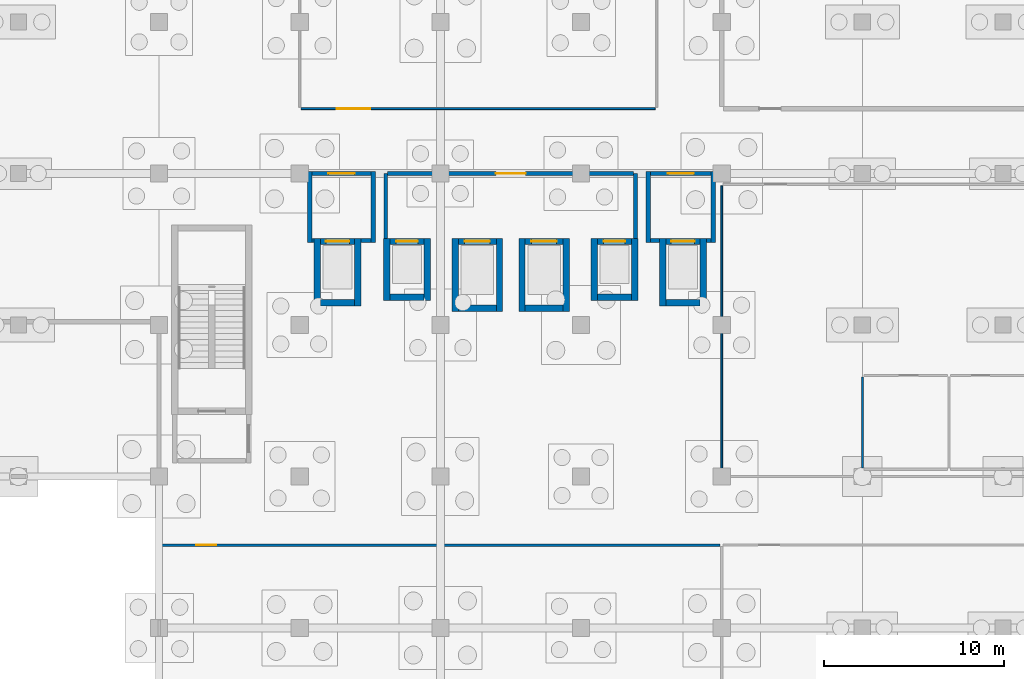
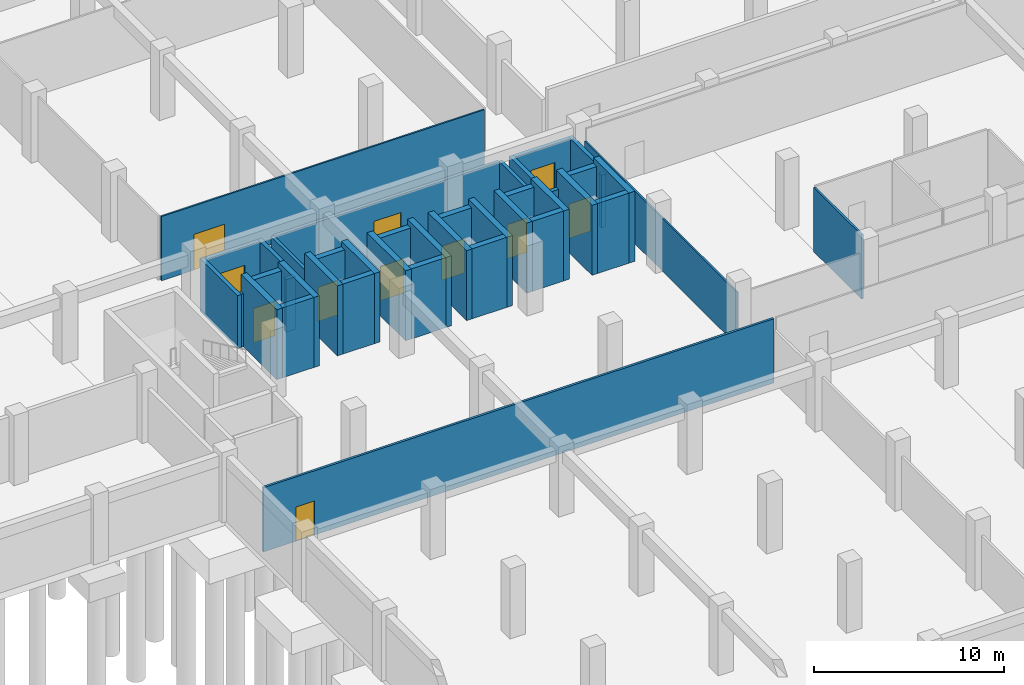
# One storey, part 14 of 30: 41 walls, 11 doors, 11 openings.
"""IFC4 building model written with IfcOpenShell, lengths in metres."""

from ifc_helpers import new_model, si_unit, direction, frame, frame_2d, origin, place, context, subcontext, project, spatial, rectangle, extrude, material, layer, layer_set, type_object, element, fill, save


model = new_model("IFC4")

# Units and contexts
model_context = context("Model", 3, precision=1e-05, world=origin(), true_north=direction((0.0, 1.0)))
body_context = subcontext(model_context, "Body", "Model", "MODEL_VIEW")
ifc_project = project(units=[si_unit("LENGTHUNIT", "METRE"), si_unit("AREAUNIT", "SQUARE_METRE"), si_unit("VOLUMEUNIT", "CUBIC_METRE"), si_unit("PLANEANGLEUNIT", "RADIAN"), si_unit("MASSUNIT", "GRAM", prefix="KILO"), si_unit("THERMODYNAMICTEMPERATUREUNIT", "KELVIN"), si_unit("POWERUNIT", "WATT")], contexts=[model_context])

# Site, building, storey
site_placement = place(None, origin())
site = spatial("IfcSite", under=ifc_project, at=site_placement, CompositionType="ELEMENT")
building_placement = place(site_placement, origin())
building = spatial("IfcBuilding", under=site, at=building_placement, Name="Srebrne Nadtorze General Hospital", CompositionType="ELEMENT")
storey_placement = place(building_placement, frame((0.0, 0.0, -4.5)))
storey = spatial("IfcBuildingStorey", under=building, at=storey_placement, Name="B1", CompositionType="ELEMENT", Elevation=-4.5)

# Wall, opening, door
ifc_material_1 = material(Name="Gypsum Healthcare Partition")
ifc_layer_1 = layer(ifc_material_1, 0.139892578125)
ifc_layer_set_1 = layer_set([ifc_layer_1], Name="Gypsum Healthcare Partition")
wall_type_1 = type_object("IfcWallType", Name="Clinical partition 140", PredefinedType="PARTITIONING", material=ifc_layer_set_1)
wall_1_placement = place(storey_placement, frame((23.485107421875, 29.800048828125, 0.0), z_axis=(0.0, 0.0, 1.0), x_axis=(1.0, 0.0, 0.0)))
wall_1 = element("IfcWall", 1, at=wall_1_placement, inside=storey, type_object=wall_type_1, Name="Medical Records and Digital Archive wall WL-INT-B1-1226", PredefinedType="PARTITIONING", context=body_context, shape_type="SweptSolid", body=[
    extrude(rectangle(XDim=31.02978515625, YDim=0.139892578125, at=frame_2d((15.514892578125, 0.0))), origin(), (0.0, 0.0, 1.0), 4.1298828125),
])
opening_1_placement = place(wall_1_placement, frame((1.97998046875, 0.0, 0.0)))
opening_1 = element("IfcOpeningElement", 2, at=opening_1_placement, cuts=wall_1, Name="Opening D-B1-0172", PredefinedType="OPENING", context=body_context, shape_type="SweptSolid", body=[
    extrude(rectangle(XDim=1.1201171875, YDim=2.199951171875, at=frame_2d((0.56005859375, 1.10009765625))), frame((0.0, 0.08203125, 0.0), z_axis=(0.0, -1.0, 0.0), x_axis=(1.0, 0.0, 0.0)), (0.0, 0.0, 1.0), 0.163818359375),
])
ifc_material_2 = material(Name="Anodised Aluminium", Category="aluminium")
door_type_1 = type_object("IfcDoorType", Name="Single leaf door 1120x2200", OperationType="NOTDEFINED", PredefinedType="DOOR", material=ifc_material_2)
door_1_placement = place(opening_1_placement, frame((1.1201171875, 0.0, 0.0), z_axis=(0.0, 0.0, 1.0), x_axis=(-1.0, 0.0, 0.0)))
door_1 = element("IfcDoor", 3, at=door_1_placement, inside=storey, type_object=door_type_1, Name="Medical Records and Digital Archive door D-B1-0172", OperationType="SINGLE_SWING_RIGHT", OverallHeight=2.199951171875, OverallWidth=1.1201171875, PredefinedType="DOOR", context=body_context, shape_type="SweptSolid", body=[
    extrude(rectangle(XDim=1.1201171875, YDim=2.199951171875, at=frame_2d((0.56005859375, 1.10009765625))), frame((0.0, 0.02490234375, 0.0), z_axis=(0.0, -1.0, 0.0), x_axis=(1.0, 0.0, 0.0)), (0.0, 0.0, 1.0), 0.050048828125),
])
fill(opening_1, door_1)

# Walls
ifc_material_3 = material(Name="Gypsum Healthcare Partition")
ifc_layer_2 = layer(ifc_material_3, 0.199951171875)
ifc_layer_set_2 = layer_set([ifc_layer_2], Name="Gypsum Healthcare Partition")
wall_type_2 = type_object("IfcWallType", Name="Compartment wall 200", PredefinedType="STANDARD", material=ifc_layer_set_2)
for number, where, z_axis, x_axis, name in (
    (4, (35.97998046875, 46.81005859375, 0.0), (0.0, 0.0, 1.0), (0.0, 1.0, 0.0), "Lift lobby side wall WL-INT-B1-0880"),
    (5, (49.820068359375, 46.81005859375, 0.0), (0.0, 0.0, 1.0), (0.0, 1.0, 0.0), "Lift lobby side wall WL-INT-B1-0881"),
):
    element("IfcWall", number, at=place(storey_placement, frame(where, z_axis=z_axis, x_axis=x_axis)), inside=storey, type_object=wall_type_2, Name=name, PredefinedType="STANDARD", context=body_context, shape_type="SweptSolid", body=[
        extrude(rectangle(XDim=3.58984375, YDim=0.199951171875, at=frame_2d((1.794921875, 0.0))), origin(), (0.0, 0.0, 1.0), 3.39990234375),
    ])

# Wall, opening, door
wall_2_placement = place(storey_placement, frame((36.080078125, 50.39990234375, 0.0), z_axis=(0.0, 0.0, 1.0), x_axis=(1.0, 0.0, 0.0)))
wall_2 = element("IfcWall", 6, at=wall_2_placement, inside=storey, type_object=wall_type_2, Name="Lift lobby corridor wall WL-INT-B1-0882", PredefinedType="STANDARD", context=body_context, shape_type="SweptSolid", body=[
    extrude(rectangle(XDim=13.639892578125, YDim=0.199951171875, at=frame_2d((6.81982421875, 0.0))), origin(), (0.0, 0.0, 1.0), 3.39990234375),
])
opening_2_placement = place(wall_2_placement, frame((5.9951171875, 0.0, 0.0)))
opening_2 = element("IfcOpeningElement", 7, at=opening_2_placement, cuts=wall_2, Name="Opening D-B1-0119", PredefinedType="OPENING", context=body_context, shape_type="SweptSolid", body=[
    extrude(rectangle(XDim=1.64990234375, YDim=2.25, at=frame_2d((0.824951171875, 1.125))), frame((0.0, 0.11181640625, 0.0), z_axis=(0.0, -1.0, 0.0), x_axis=(1.0, 0.0, 0.0)), (0.0, 0.0, 1.0), 0.223876953125),
])
ifc_material_4 = material(Name="Anodised Aluminium", Category="aluminium")
door_type_2 = type_object("IfcDoorType", Name="Double leaf door 1650x2250", OperationType="DOUBLE_DOOR_SINGLE_SWING", PredefinedType="DOOR", material=ifc_material_4)
door_2_placement = place(opening_2_placement, origin())
door_2 = element("IfcDoor", 8, at=door_2_placement, inside=storey, type_object=door_type_2, Name="Lift lobby corridor door D-B1-0119", OperationType="DOUBLE_DOOR_SINGLE_SWING", OverallHeight=2.25, OverallWidth=1.64990234375, PredefinedType="DOOR", context=body_context, shape_type="SweptSolid", body=[
    extrude(rectangle(XDim=1.64990234375, YDim=2.25, at=frame_2d((0.824951171875, 1.125))), frame((0.0, 0.02490234375, 0.0), z_axis=(0.0, -1.0, 0.0), x_axis=(1.0, 0.0, 0.0)), (0.0, 0.0, 1.0), 0.050048828125),
])
fill(opening_2, door_2)

# Walls
ifc_material_5 = material(Name="Gypsum Healthcare Partition")
ifc_layer_3 = layer(ifc_material_5, 0.239990234375)
ifc_layer_set_3 = layer_set([ifc_layer_3], Name="Gypsum Healthcare Partition")
wall_type_3 = type_object("IfcWallType", Name="Corridor fire wall 240", PredefinedType="STANDARD", material=ifc_layer_set_3)
for number, where, z_axis, x_axis, name in (
    (9, (31.760009765625, 46.570068359375, 0.0), (0.0, 0.0, 1.0), (0.0, 1.0, 0.0), "FF lift lobby wall WL-INT-B1-0870"),
    (10, (35.27001953125, 46.570068359375, 0.0), (0.0, 0.0, 1.0), (0.0, 1.0, 0.0), "FF lift lobby wall WL-INT-B1-0871"),
):
    element("IfcWall", number, at=place(storey_placement, frame(where, z_axis=z_axis, x_axis=x_axis)), inside=storey, type_object=wall_type_3, Name=name, PredefinedType="STANDARD", context=body_context, shape_type="SweptSolid", body=[
        extrude(rectangle(XDim=3.949951171875, YDim=0.239990234375, at=frame_2d((1.97509765625, 0.0))), origin(), (0.0, 0.0, 1.0), 3.39990234375),
    ])
wall_3_placement = place(storey_placement, frame((31.8798828125, 46.68994140625, 0.0), z_axis=(0.0, 0.0, 1.0), x_axis=(1.0, 0.0, 0.0)))
element("IfcWall", 11, at=wall_3_placement, inside=storey, type_object=wall_type_3, Name="FF lift lobby return wall WL-INT-B1-0872", PredefinedType="STANDARD", context=body_context, shape_type="SweptSolid", body=[
    extrude(rectangle(XDim=0.1201171875, YDim=0.239990234375, at=frame_2d((0.06005859375, 0.0))), origin(), (0.0, 0.0, 1.0), 3.39990234375),
])
wall_4_placement = place(storey_placement, frame((34.60009765625, 46.68994140625, 0.0), z_axis=(0.0, 0.0, 1.0), x_axis=(1.0, 0.0, 0.0)))
element("IfcWall", 12, at=wall_4_placement, inside=storey, type_object=wall_type_3, Name="FF lift lobby return wall WL-INT-B1-0873", PredefinedType="STANDARD", context=body_context, shape_type="SweptSolid", body=[
    extrude(rectangle(XDim=0.5498046875, YDim=0.239990234375, at=frame_2d((0.27490234375, 0.0))), origin(), (0.0, 0.0, 1.0), 3.39990234375),
])

# Wall, opening, door
wall_5_placement = place(storey_placement, frame((31.8798828125, 50.39990234375, 0.0), z_axis=(0.0, 0.0, 1.0), x_axis=(1.0, 0.0, 0.0)))
wall_5 = element("IfcWall", 13, at=wall_5_placement, inside=storey, type_object=wall_type_3, Name="FF lift lobby front wall WL-INT-B1-0874", PredefinedType="STANDARD", context=body_context, shape_type="SweptSolid", body=[
    extrude(rectangle(XDim=3.27001953125, YDim=0.239990234375, at=frame_2d((1.635009765625, 0.0))), origin(), (0.0, 0.0, 1.0), 3.39990234375),
])
opening_3_placement = place(wall_5_placement, frame((0.909912109375, 0.0, 0.0)))
opening_3 = element("IfcOpeningElement", 14, at=opening_3_placement, cuts=wall_5, Name="Opening D-B1-0117", PredefinedType="OPENING", context=body_context, shape_type="SweptSolid", body=[
    extrude(rectangle(XDim=1.449951171875, YDim=2.199951171875, at=frame_2d((0.72509765625, 1.10009765625))), frame((0.0, 0.1318359375, 0.0), z_axis=(0.0, -1.0, 0.0), x_axis=(1.0, 0.0, 0.0)), (0.0, 0.0, 1.0), 0.263916015625),
])
ifc_material_6 = material(Name="Anodised Aluminium", Category="aluminium")
door_type_3 = type_object("IfcDoorType", Name="Double leaf door 1450x2200", OperationType="DOUBLE_DOOR_SINGLE_SWING", PredefinedType="DOOR", material=ifc_material_6)
door_3_placement = place(opening_3_placement, origin())
door_3 = element("IfcDoor", 15, at=door_3_placement, inside=storey, type_object=door_type_3, Name="Firefighting lift lobby door D-B1-0117", OperationType="DOUBLE_DOOR_SINGLE_SWING", OverallHeight=2.199951171875, OverallWidth=1.449951171875, PredefinedType="DOOR", context=body_context, shape_type="SweptSolid", body=[
    extrude(rectangle(XDim=1.449951171875, YDim=2.199951171875, at=frame_2d((0.72509765625, 1.10009765625))), frame((0.0, 0.02490234375, 0.0), z_axis=(0.0, -1.0, 0.0), x_axis=(1.0, 0.0, 0.0)), (0.0, 0.0, 1.0), 0.050048828125),
])
fill(opening_3, door_3)

# Walls
for number, where, z_axis, x_axis, name in (
    (16, (50.530029296875, 46.570068359375, 0.0), (0.0, 0.0, 1.0), (0.0, 1.0, 0.0), "FF lift lobby wall WL-INT-B1-0875"),
    (17, (54.139892578125, 46.570068359375, 0.0), (0.0, 0.0, 1.0), (0.0, 1.0, 0.0), "FF lift lobby wall WL-INT-B1-0876"),
):
    element("IfcWall", number, at=place(storey_placement, frame(where, z_axis=z_axis, x_axis=x_axis)), inside=storey, type_object=wall_type_3, Name=name, PredefinedType="STANDARD", context=body_context, shape_type="SweptSolid", body=[
        extrude(rectangle(XDim=3.949951171875, YDim=0.239990234375, at=frame_2d((1.97509765625, 0.0))), origin(), (0.0, 0.0, 1.0), 3.39990234375),
    ])
wall_6_placement = place(storey_placement, frame((50.64990234375, 46.68994140625, 0.0), z_axis=(0.0, 0.0, 1.0), x_axis=(1.0, 0.0, 0.0)))
element("IfcWall", 18, at=wall_6_placement, inside=storey, type_object=wall_type_3, Name="FF lift lobby return wall WL-INT-B1-0877", PredefinedType="STANDARD", context=body_context, shape_type="SweptSolid", body=[
    extrude(rectangle(XDim=0.5, YDim=0.239990234375, at=frame_2d((0.25, 0.0))), origin(), (0.0, 0.0, 1.0), 3.39990234375),
])
wall_7_placement = place(storey_placement, frame((53.75, 46.68994140625, 0.0), z_axis=(0.0, 0.0, 1.0), x_axis=(1.0, 0.0, 0.0)))
element("IfcWall", 19, at=wall_7_placement, inside=storey, type_object=wall_type_3, Name="FF lift lobby return wall WL-INT-B1-0878", PredefinedType="STANDARD", context=body_context, shape_type="SweptSolid", body=[
    extrude(rectangle(XDim=0.27001953125, YDim=0.239990234375, at=frame_2d((0.135009765625, 0.0))), origin(), (0.0, 0.0, 1.0), 3.39990234375),
])

# Wall, opening, door
wall_8_placement = place(storey_placement, frame((50.64990234375, 50.39990234375, 0.0), z_axis=(0.0, 0.0, 1.0), x_axis=(1.0, 0.0, 0.0)))
wall_8 = element("IfcWall", 20, at=wall_8_placement, inside=storey, type_object=wall_type_3, Name="FF lift lobby front wall WL-INT-B1-0879", PredefinedType="STANDARD", context=body_context, shape_type="SweptSolid", body=[
    extrude(rectangle(XDim=3.3701171875, YDim=0.239990234375, at=frame_2d((1.68505859375, 0.0))), origin(), (0.0, 0.0, 1.0), 3.39990234375),
])
opening_4_placement = place(wall_8_placement, frame((0.9599609375, 0.0, 0.0)))
opening_4 = element("IfcOpeningElement", 21, at=opening_4_placement, cuts=wall_8, Name="Opening D-B1-0118", PredefinedType="OPENING", context=body_context, shape_type="SweptSolid", body=[
    extrude(rectangle(XDim=1.449951171875, YDim=2.199951171875, at=frame_2d((0.72509765625, 1.10009765625))), frame((0.0, 0.1318359375, 0.0), z_axis=(0.0, -1.0, 0.0), x_axis=(1.0, 0.0, 0.0)), (0.0, 0.0, 1.0), 0.263916015625),
])
door_4_placement = place(opening_4_placement, origin())
door_4 = element("IfcDoor", 22, at=door_4_placement, inside=storey, type_object=door_type_3, Name="Firefighting lift lobby door D-B1-0118", OperationType="DOUBLE_DOOR_SINGLE_SWING", OverallHeight=2.199951171875, OverallWidth=1.449951171875, PredefinedType="DOOR", context=body_context, shape_type="SweptSolid", body=[
    extrude(rectangle(XDim=1.449951171875, YDim=2.199951171875, at=frame_2d((0.72509765625, 1.10009765625))), frame((0.0, 0.02490234375, 0.0), z_axis=(0.0, -1.0, 0.0), x_axis=(1.0, 0.0, 0.0)), (0.0, 0.0, 1.0), 0.050048828125),
])
fill(opening_4, door_4)

# Wall
ifc_material_7 = material(Name="Gypsum Healthcare Partition")
ifc_layer_4 = layer(ifc_material_7, 0.1201171875)
ifc_layer_set_4 = layer_set([ifc_layer_4], Name="Gypsum Healthcare Partition")
wall_type_4 = type_object("IfcWallType", Name="En-suite partition 120", PredefinedType="PARTITIONING", material=ifc_layer_set_4)
wall_9_placement = place(storey_placement, frame((62.39990234375, 34.0849609375, 0.0), z_axis=(0.0, 0.0, 1.0), x_axis=(0.0, 1.0, 0.0)))
element("IfcWall", 23, at=wall_9_placement, inside=storey, type_object=wall_type_4, Name="Accessible WC wall WL-INT-B1-1267", PredefinedType="PARTITIONING", context=body_context, shape_type="SweptSolid", body=[
    extrude(rectangle(XDim=5.030029296875, YDim=0.1201171875, at=frame_2d((2.51513671875, 0.0))), origin(), (0.0, 0.0, 1.0), 4.1298828125),
])

# Wall, opening, door
ifc_material_8 = material(Name="Gypsum Healthcare Partition")
ifc_layer_5 = layer(ifc_material_8, 0.10009765625)
ifc_layer_set_5 = layer_set([ifc_layer_5], Name="Gypsum Healthcare Partition")
wall_type_5 = type_object("IfcWallType", Name="Shaft lining wall 100", PredefinedType="PARTITIONING", material=ifc_layer_set_5)
wall_10_placement = place(storey_placement, frame((31.284912109375, 54.0, 0.0), z_axis=(0.0, 0.0, 1.0), x_axis=(1.0, 0.0, 0.0)))
wall_10 = element("IfcWall", 24, at=wall_10_placement, inside=storey, type_object=wall_type_5, Name="Staff Locker and Changing Suite wall WL-INT-B1-1261", PredefinedType="PARTITIONING", context=body_context, shape_type="SweptSolid", body=[
    extrude(rectangle(XDim=19.630126953125, YDim=0.10009765625, at=frame_2d((9.81494140625, 0.0))), origin(), (0.0, 0.0, 1.0), 4.1298828125),
])
opening_5_placement = place(wall_10_placement, frame((1.97802734375, 0.0, 0.0)))
opening_5 = element("IfcOpeningElement", 25, at=opening_5_placement, cuts=wall_10, Name="Opening D-B1-0179", PredefinedType="OPENING", context=body_context, shape_type="SweptSolid", body=[
    extrude(rectangle(XDim=1.85009765625, YDim=2.300048828125, at=frame_2d((0.925048828125, 1.14990234375))), frame((0.0, 0.06201171875, 0.0), z_axis=(0.0, -1.0, 0.0), x_axis=(1.0, 0.0, 0.0)), (0.0, 0.0, 1.0), 0.1240234375),
])
ifc_material_9 = material(Name="Anodised Aluminium", Category="aluminium")
door_type_4 = type_object("IfcDoorType", Name="Double leaf door 1850x2300", OperationType="DOUBLE_DOOR_SINGLE_SWING", PredefinedType="DOOR", material=ifc_material_9)
door_5_placement = place(opening_5_placement, origin())
door_5 = element("IfcDoor", 26, at=door_5_placement, inside=storey, type_object=door_type_4, Name="Staff Locker and Changing Suite door D-B1-0179", OperationType="DOUBLE_DOOR_SINGLE_SWING", OverallHeight=2.300048828125, OverallWidth=1.85009765625, PredefinedType="DOOR", context=body_context, shape_type="SweptSolid", body=[
    extrude(rectangle(XDim=1.85009765625, YDim=2.300048828125, at=frame_2d((0.925048828125, 1.14990234375))), frame((0.0, 0.02490234375, 0.0), z_axis=(0.0, -1.0, 0.0), x_axis=(1.0, 0.0, 0.0)), (0.0, 0.0, 1.0), 0.050048828125),
])
fill(opening_5, door_5)

# Walls
wall_11_placement = place(storey_placement, frame((54.60009765625, 33.68505859375, 0.0), z_axis=(0.0, 0.0, 1.0), x_axis=(0.0, 1.0, 0.0)))
element("IfcWall", 27, at=wall_11_placement, inside=storey, type_object=wall_type_5, Name="Biomedical Equipment Maintenance Workshop wall WL-INT-B1-1274", PredefinedType="PARTITIONING", context=body_context, shape_type="SweptSolid", body=[
    extrude(rectangle(XDim=16.030029296875, YDim=0.10009765625, at=frame_2d((8.01513671875, 0.0))), origin(), (0.0, 0.0, 1.0), 3.39990234375),
])
ifc_material_10 = material(Name="Concrete C40/50", Category="concrete")
ifc_layer_6 = layer(ifc_material_10, 0.35009765625)
ifc_layer_set_6 = layer_set([ifc_layer_6], Name="Concrete C40/50")
wall_type_6 = type_object("IfcWallType", Name="Shear core wall 350", PredefinedType="SHEAR", material=ifc_layer_set_6)
for number, where, z_axis, x_axis, name in (
    (28, (32.175048828125, 43.06005859375, 0.0), (0.0, 0.0, 1.0), (0.0, 1.0, 0.0), "Lift shaft wall FL-01 WL-INT-B1-0466"),
    (29, (34.425048828125, 43.06005859375, 0.0), (0.0, 0.0, 1.0), (0.0, 1.0, 0.0), "Lift shaft wall FL-01 WL-INT-B1-0467"),
):
    element("IfcWall", number, at=place(storey_placement, frame(where, z_axis=z_axis, x_axis=x_axis)), inside=storey, type_object=wall_type_6, Name=name, PredefinedType="SHEAR", context=body_context, shape_type="SweptSolid", body=[
        extrude(rectangle(XDim=3.75, YDim=0.35009765625, at=frame_2d((1.875, 0.0))), origin(), (0.0, 0.0, 1.0), 4.5),
    ])
wall_12_placement = place(storey_placement, frame((32.35009765625, 43.235107421875, 0.0), z_axis=(0.0, 0.0, 1.0), x_axis=(1.0, 0.0, 0.0)))
element("IfcWall", 30, at=wall_12_placement, inside=storey, type_object=wall_type_6, Name="Lift shaft back wall FL-01 WL-INT-B1-0468", PredefinedType="SHEAR", context=body_context, shape_type="SweptSolid", body=[
    extrude(rectangle(XDim=1.89990234375, YDim=0.35009765625, at=frame_2d((0.949951171875, 0.0))), origin(), (0.0, 0.0, 1.0), 4.5),
])

# Wall, opening, door
wall_13_placement = place(storey_placement, frame((32.35009765625, 46.635009765625, 0.0), z_axis=(0.0, 0.0, 1.0), x_axis=(1.0, 0.0, 0.0)))
wall_13 = element("IfcWall", 31, at=wall_13_placement, inside=storey, type_object=wall_type_6, Name="Lift shaft front wall FL-01 WL-INT-B1-0469", PredefinedType="SHEAR", context=body_context, shape_type="SweptSolid", body=[
    extrude(rectangle(XDim=1.89990234375, YDim=0.35009765625, at=frame_2d((0.949951171875, 0.0))), origin(), (0.0, 0.0, 1.0), 4.14990234375),
])
opening_6_placement = place(wall_13_placement, frame((0.300048828125, 0.0, 0.0)))
opening_6 = element("IfcOpeningElement", 32, at=opening_6_placement, cuts=wall_13, Name="Opening LD-B1-001", PredefinedType="OPENING", context=body_context, shape_type="SweptSolid", body=[
    extrude(rectangle(XDim=1.300048828125, YDim=2.199951171875, at=frame_2d((0.64990234375, 1.10009765625))), frame((0.0, 0.18701171875, 0.0), z_axis=(0.0, -1.0, 0.0), x_axis=(1.0, 0.0, 0.0)), (0.0, 0.0, 1.0), 0.3740234375),
])
ifc_material_11 = material(Name="Anodised Aluminium", Category="aluminium")
door_type_5 = type_object("IfcDoorType", Name="Sliding lift door 1300x2200", OperationType="SLIDING_TO_LEFT", PredefinedType="DOOR", material=ifc_material_11)
door_6_placement = place(opening_6_placement, origin())
door_6 = element("IfcDoor", 33, at=door_6_placement, inside=storey, type_object=door_type_5, Name="Lift Landing Door LD-B1-001", OperationType="SLIDING_TO_LEFT", OverallHeight=2.199951171875, OverallWidth=1.300048828125, PredefinedType="DOOR", context=body_context, shape_type="SweptSolid", body=[
    extrude(rectangle(XDim=1.300048828125, YDim=2.199951171875, at=frame_2d((0.64990234375, 1.10009765625))), frame((0.0, 0.02490234375, 0.0), z_axis=(0.0, -1.0, 0.0), x_axis=(1.0, 0.0, 0.0)), (0.0, 0.0, 1.0), 0.050048828125),
])
fill(opening_6, door_6)

# Walls
for number, where, z_axis, x_axis, name in (
    (34, (36.02490234375, 43.360107421875, 0.0), (0.0, 0.0, 1.0), (0.0, 1.0, 0.0), "Lift shaft wall LP-01 WL-INT-B1-0506"),
    (35, (38.27490234375, 43.360107421875, 0.0), (0.0, 0.0, 1.0), (0.0, 1.0, 0.0), "Lift shaft wall LP-01 WL-INT-B1-0507"),
):
    element("IfcWall", number, at=place(storey_placement, frame(where, z_axis=z_axis, x_axis=x_axis)), inside=storey, type_object=wall_type_6, Name=name, PredefinedType="SHEAR", context=body_context, shape_type="SweptSolid", body=[
        extrude(rectangle(XDim=3.449951171875, YDim=0.35009765625, at=frame_2d((1.72509765625, 0.0))), origin(), (0.0, 0.0, 1.0), 4.5),
    ])
wall_14_placement = place(storey_placement, frame((36.199951171875, 43.534912109375, 0.0), z_axis=(0.0, 0.0, 1.0), x_axis=(1.0, 0.0, 0.0)))
element("IfcWall", 36, at=wall_14_placement, inside=storey, type_object=wall_type_6, Name="Lift shaft back wall LP-01 WL-INT-B1-0508", PredefinedType="SHEAR", context=body_context, shape_type="SweptSolid", body=[
    extrude(rectangle(XDim=1.900146484375, YDim=0.35009765625, at=frame_2d((0.9501953125, 0.0))), origin(), (0.0, 0.0, 1.0), 4.5),
])

# Wall, opening, door
wall_15_placement = place(storey_placement, frame((36.199951171875, 46.635009765625, 0.0), z_axis=(0.0, 0.0, 1.0), x_axis=(1.0, 0.0, 0.0)))
wall_15 = element("IfcWall", 37, at=wall_15_placement, inside=storey, type_object=wall_type_6, Name="Lift shaft front wall LP-01 WL-INT-B1-0509", PredefinedType="SHEAR", context=body_context, shape_type="SweptSolid", body=[
    extrude(rectangle(XDim=1.900146484375, YDim=0.35009765625, at=frame_2d((0.9501953125, 0.0))), origin(), (0.0, 0.0, 1.0), 4.14990234375),
])
opening_7_placement = place(wall_15_placement, frame((0.35009765625, 0.0, 0.0)))
opening_7 = element("IfcOpeningElement", 38, at=opening_7_placement, cuts=wall_15, Name="Opening LD-B1-011", PredefinedType="OPENING", context=body_context, shape_type="SweptSolid", body=[
    extrude(rectangle(XDim=1.199951171875, YDim=2.199951171875, at=frame_2d((0.60009765625, 1.10009765625))), frame((0.0, 0.18701171875, 0.0), z_axis=(0.0, -1.0, 0.0), x_axis=(1.0, 0.0, 0.0)), (0.0, 0.0, 1.0), 0.3740234375),
])
ifc_material_12 = material(Name="Anodised Aluminium", Category="aluminium")
door_type_6 = type_object("IfcDoorType", Name="Sliding lift door 1200x2200", OperationType="SLIDING_TO_LEFT", PredefinedType="DOOR", material=ifc_material_12)
door_7_placement = place(opening_7_placement, origin())
door_7 = element("IfcDoor", 39, at=door_7_placement, inside=storey, type_object=door_type_6, Name="Lift Landing Door LD-B1-011", OperationType="SLIDING_TO_LEFT", OverallHeight=2.199951171875, OverallWidth=1.199951171875, PredefinedType="DOOR", context=body_context, shape_type="SweptSolid", body=[
    extrude(rectangle(XDim=1.199951171875, YDim=2.199951171875, at=frame_2d((0.60009765625, 1.10009765625))), frame((0.0, 0.02490234375, 0.0), z_axis=(0.0, -1.0, 0.0), x_axis=(1.0, 0.0, 0.0)), (0.0, 0.0, 1.0), 0.050048828125),
])
fill(opening_7, door_7)

# Walls
for number, where, z_axis, x_axis, name in (
    (40, (39.824951171875, 42.760009765625, 0.0), (0.0, 0.0, 1.0), (0.0, 1.0, 0.0), "Lift shaft wall LS-01 WL-INT-B1-0542"),
    (41, (42.27490234375, 42.760009765625, 0.0), (0.0, 0.0, 1.0), (0.0, 1.0, 0.0), "Lift shaft wall LS-01 WL-INT-B1-0543"),
):
    element("IfcWall", number, at=place(storey_placement, frame(where, z_axis=z_axis, x_axis=x_axis)), inside=storey, type_object=wall_type_6, Name=name, PredefinedType="SHEAR", context=body_context, shape_type="SweptSolid", body=[
        extrude(rectangle(XDim=4.050048828125, YDim=0.35009765625, at=frame_2d((2.02490234375, 0.0))), origin(), (0.0, 0.0, 1.0), 4.5),
    ])
wall_16_placement = place(storey_placement, frame((40.0, 42.93505859375, 0.0), z_axis=(0.0, 0.0, 1.0), x_axis=(1.0, 0.0, 0.0)))
element("IfcWall", 42, at=wall_16_placement, inside=storey, type_object=wall_type_6, Name="Lift shaft back wall LS-01 WL-INT-B1-0544", PredefinedType="SHEAR", context=body_context, shape_type="SweptSolid", body=[
    extrude(rectangle(XDim=2.10009765625, YDim=0.35009765625, at=frame_2d((1.050048828125, 0.0))), origin(), (0.0, 0.0, 1.0), 4.5),
])

# Wall, opening, door
wall_17_placement = place(storey_placement, frame((40.0, 46.635009765625, 0.0), z_axis=(0.0, 0.0, 1.0), x_axis=(1.0, 0.0, 0.0)))
wall_17 = element("IfcWall", 43, at=wall_17_placement, inside=storey, type_object=wall_type_6, Name="Lift shaft front wall LS-01 WL-INT-B1-0545", PredefinedType="SHEAR", context=body_context, shape_type="SweptSolid", body=[
    extrude(rectangle(XDim=2.10009765625, YDim=0.35009765625, at=frame_2d((1.050048828125, 0.0))), origin(), (0.0, 0.0, 1.0), 4.14990234375),
])
opening_8_placement = place(wall_17_placement, frame((0.35009765625, 0.0, 0.0)))
opening_8 = element("IfcOpeningElement", 44, at=opening_8_placement, cuts=wall_17, Name="Opening LD-B1-020", PredefinedType="OPENING", context=body_context, shape_type="SweptSolid", body=[
    extrude(rectangle(XDim=1.39990234375, YDim=2.199951171875, at=frame_2d((0.699951171875, 1.10009765625))), frame((0.0, 0.18701171875, 0.0), z_axis=(0.0, -1.0, 0.0), x_axis=(1.0, 0.0, 0.0)), (0.0, 0.0, 1.0), 0.3740234375),
])
ifc_material_13 = material(Name="Anodised Aluminium", Category="aluminium")
door_type_7 = type_object("IfcDoorType", Name="Sliding lift door 1400x2200", OperationType="SLIDING_TO_LEFT", PredefinedType="DOOR", material=ifc_material_13)
door_8_placement = place(opening_8_placement, origin())
door_8 = element("IfcDoor", 45, at=door_8_placement, inside=storey, type_object=door_type_7, Name="Lift Landing Door LD-B1-020", OperationType="SLIDING_TO_LEFT", OverallHeight=2.199951171875, OverallWidth=1.39990234375, PredefinedType="DOOR", context=body_context, shape_type="SweptSolid", body=[
    extrude(rectangle(XDim=1.39990234375, YDim=2.199951171875, at=frame_2d((0.699951171875, 1.10009765625))), frame((0.0, 0.02490234375, 0.0), z_axis=(0.0, -1.0, 0.0), x_axis=(1.0, 0.0, 0.0)), (0.0, 0.0, 1.0), 0.050048828125),
])
fill(opening_8, door_8)

# Walls
for number, where, z_axis, x_axis, name in (
    (46, (43.52490234375, 42.760009765625, 0.0), (0.0, 0.0, 1.0), (0.0, 1.0, 0.0), "Lift shaft wall LS-02 WL-INT-B1-0582"),
    (47, (45.97509765625, 42.760009765625, 0.0), (0.0, 0.0, 1.0), (0.0, 1.0, 0.0), "Lift shaft wall LS-02 WL-INT-B1-0583"),
):
    element("IfcWall", number, at=place(storey_placement, frame(where, z_axis=z_axis, x_axis=x_axis)), inside=storey, type_object=wall_type_6, Name=name, PredefinedType="SHEAR", context=body_context, shape_type="SweptSolid", body=[
        extrude(rectangle(XDim=4.050048828125, YDim=0.35009765625, at=frame_2d((2.02490234375, 0.0))), origin(), (0.0, 0.0, 1.0), 4.5),
    ])
wall_18_placement = place(storey_placement, frame((43.699951171875, 42.93505859375, 0.0), z_axis=(0.0, 0.0, 1.0), x_axis=(1.0, 0.0, 0.0)))
element("IfcWall", 48, at=wall_18_placement, inside=storey, type_object=wall_type_6, Name="Lift shaft back wall LS-02 WL-INT-B1-0584", PredefinedType="SHEAR", context=body_context, shape_type="SweptSolid", body=[
    extrude(rectangle(XDim=2.10009765625, YDim=0.35009765625, at=frame_2d((1.050048828125, 0.0))), origin(), (0.0, 0.0, 1.0), 4.5),
])

# Wall, opening, door
wall_19_placement = place(storey_placement, frame((43.699951171875, 46.635009765625, 0.0), z_axis=(0.0, 0.0, 1.0), x_axis=(1.0, 0.0, 0.0)))
wall_19 = element("IfcWall", 49, at=wall_19_placement, inside=storey, type_object=wall_type_6, Name="Lift shaft front wall LS-02 WL-INT-B1-0585", PredefinedType="SHEAR", context=body_context, shape_type="SweptSolid", body=[
    extrude(rectangle(XDim=2.10009765625, YDim=0.35009765625, at=frame_2d((1.050048828125, 0.0))), origin(), (0.0, 0.0, 1.0), 4.14990234375),
])
opening_9_placement = place(wall_19_placement, frame((0.35009765625, 0.0, 0.0)))
opening_9 = element("IfcOpeningElement", 50, at=opening_9_placement, cuts=wall_19, Name="Opening LD-B1-030", PredefinedType="OPENING", context=body_context, shape_type="SweptSolid", body=[
    extrude(rectangle(XDim=1.39990234375, YDim=2.199951171875, at=frame_2d((0.699951171875, 1.10009765625))), frame((0.0, 0.18701171875, 0.0), z_axis=(0.0, -1.0, 0.0), x_axis=(1.0, 0.0, 0.0)), (0.0, 0.0, 1.0), 0.3740234375),
])
door_9_placement = place(opening_9_placement, origin())
door_9 = element("IfcDoor", 51, at=door_9_placement, inside=storey, type_object=door_type_7, Name="Lift Landing Door LD-B1-030", OperationType="SLIDING_TO_LEFT", OverallHeight=2.199951171875, OverallWidth=1.39990234375, PredefinedType="DOOR", context=body_context, shape_type="SweptSolid", body=[
    extrude(rectangle(XDim=1.39990234375, YDim=2.199951171875, at=frame_2d((0.699951171875, 1.10009765625))), frame((0.0, 0.02490234375, 0.0), z_axis=(0.0, -1.0, 0.0), x_axis=(1.0, 0.0, 0.0)), (0.0, 0.0, 1.0), 0.050048828125),
])
fill(opening_9, door_9)

# Walls
for number, where, z_axis, x_axis, name in (
    (52, (47.52490234375, 43.360107421875, 0.0), (0.0, 0.0, 1.0), (0.0, 1.0, 0.0), "Lift shaft wall LP-02 WL-INT-B1-0622"),
    (53, (49.77490234375, 43.360107421875, 0.0), (0.0, 0.0, 1.0), (0.0, 1.0, 0.0), "Lift shaft wall LP-02 WL-INT-B1-0623"),
):
    element("IfcWall", number, at=place(storey_placement, frame(where, z_axis=z_axis, x_axis=x_axis)), inside=storey, type_object=wall_type_6, Name=name, PredefinedType="SHEAR", context=body_context, shape_type="SweptSolid", body=[
        extrude(rectangle(XDim=3.449951171875, YDim=0.35009765625, at=frame_2d((1.72509765625, 0.0))), origin(), (0.0, 0.0, 1.0), 4.5),
    ])
wall_20_placement = place(storey_placement, frame((47.699951171875, 43.534912109375, 0.0), z_axis=(0.0, 0.0, 1.0), x_axis=(1.0, 0.0, 0.0)))
element("IfcWall", 54, at=wall_20_placement, inside=storey, type_object=wall_type_6, Name="Lift shaft back wall LP-02 WL-INT-B1-0624", PredefinedType="SHEAR", context=body_context, shape_type="SweptSolid", body=[
    extrude(rectangle(XDim=1.900146484375, YDim=0.35009765625, at=frame_2d((0.9501953125, 0.0))), origin(), (0.0, 0.0, 1.0), 4.5),
])

# Wall, opening, door
wall_21_placement = place(storey_placement, frame((47.699951171875, 46.635009765625, 0.0), z_axis=(0.0, 0.0, 1.0), x_axis=(1.0, 0.0, 0.0)))
wall_21 = element("IfcWall", 55, at=wall_21_placement, inside=storey, type_object=wall_type_6, Name="Lift shaft front wall LP-02 WL-INT-B1-0625", PredefinedType="SHEAR", context=body_context, shape_type="SweptSolid", body=[
    extrude(rectangle(XDim=1.900146484375, YDim=0.35009765625, at=frame_2d((0.9501953125, 0.0))), origin(), (0.0, 0.0, 1.0), 4.14990234375),
])
opening_10_placement = place(wall_21_placement, frame((0.35009765625, 0.0, 0.0)))
opening_10 = element("IfcOpeningElement", 56, at=opening_10_placement, cuts=wall_21, Name="Opening LD-B1-040", PredefinedType="OPENING", context=body_context, shape_type="SweptSolid", body=[
    extrude(rectangle(XDim=1.199951171875, YDim=2.199951171875, at=frame_2d((0.60009765625, 1.10009765625))), frame((0.0, 0.18701171875, 0.0), z_axis=(0.0, -1.0, 0.0), x_axis=(1.0, 0.0, 0.0)), (0.0, 0.0, 1.0), 0.3740234375),
])
door_10_placement = place(opening_10_placement, origin())
door_10 = element("IfcDoor", 57, at=door_10_placement, inside=storey, type_object=door_type_6, Name="Lift Landing Door LD-B1-040", OperationType="SLIDING_TO_LEFT", OverallHeight=2.199951171875, OverallWidth=1.199951171875, PredefinedType="DOOR", context=body_context, shape_type="SweptSolid", body=[
    extrude(rectangle(XDim=1.199951171875, YDim=2.199951171875, at=frame_2d((0.60009765625, 1.10009765625))), frame((0.0, 0.02490234375, 0.0), z_axis=(0.0, -1.0, 0.0), x_axis=(1.0, 0.0, 0.0)), (0.0, 0.0, 1.0), 0.050048828125),
])
fill(opening_10, door_10)

# Walls
for number, where, z_axis, x_axis, name in (
    (58, (51.324951171875, 43.06005859375, 0.0), (0.0, 0.0, 1.0), (0.0, 1.0, 0.0), "Lift shaft wall FL-02 WL-INT-B1-0658"),
    (59, (53.574951171875, 43.06005859375, 0.0), (0.0, 0.0, 1.0), (0.0, 1.0, 0.0), "Lift shaft wall FL-02 WL-INT-B1-0659"),
):
    element("IfcWall", number, at=place(storey_placement, frame(where, z_axis=z_axis, x_axis=x_axis)), inside=storey, type_object=wall_type_6, Name=name, PredefinedType="SHEAR", context=body_context, shape_type="SweptSolid", body=[
        extrude(rectangle(XDim=3.75, YDim=0.35009765625, at=frame_2d((1.875, 0.0))), origin(), (0.0, 0.0, 1.0), 4.5),
    ])
wall_22_placement = place(storey_placement, frame((51.5, 43.235107421875, 0.0), z_axis=(0.0, 0.0, 1.0), x_axis=(1.0, 0.0, 0.0)))
element("IfcWall", 60, at=wall_22_placement, inside=storey, type_object=wall_type_6, Name="Lift shaft back wall FL-02 WL-INT-B1-0660", PredefinedType="SHEAR", context=body_context, shape_type="SweptSolid", body=[
    extrude(rectangle(XDim=1.89990234375, YDim=0.35009765625, at=frame_2d((0.949951171875, 0.0))), origin(), (0.0, 0.0, 1.0), 4.5),
])

# Wall, opening, door
wall_23_placement = place(storey_placement, frame((51.5, 46.635009765625, 0.0), z_axis=(0.0, 0.0, 1.0), x_axis=(1.0, 0.0, 0.0)))
wall_23 = element("IfcWall", 61, at=wall_23_placement, inside=storey, type_object=wall_type_6, Name="Lift shaft front wall FL-02 WL-INT-B1-0661", PredefinedType="SHEAR", context=body_context, shape_type="SweptSolid", body=[
    extrude(rectangle(XDim=1.89990234375, YDim=0.35009765625, at=frame_2d((0.949951171875, 0.0))), origin(), (0.0, 0.0, 1.0), 4.14990234375),
])
opening_11_placement = place(wall_23_placement, frame((0.300048828125, 0.0, 0.0)))
opening_11 = element("IfcOpeningElement", 62, at=opening_11_placement, cuts=wall_23, Name="Opening LD-B1-049", PredefinedType="OPENING", context=body_context, shape_type="SweptSolid", body=[
    extrude(rectangle(XDim=1.300048828125, YDim=2.199951171875, at=frame_2d((0.64990234375, 1.10009765625))), frame((0.0, 0.18701171875, 0.0), z_axis=(0.0, -1.0, 0.0), x_axis=(1.0, 0.0, 0.0)), (0.0, 0.0, 1.0), 0.3740234375),
])
door_11_placement = place(opening_11_placement, origin())
door_11 = element("IfcDoor", 63, at=door_11_placement, inside=storey, type_object=door_type_5, Name="Lift Landing Door LD-B1-049", OperationType="SLIDING_TO_LEFT", OverallHeight=2.199951171875, OverallWidth=1.300048828125, PredefinedType="DOOR", context=body_context, shape_type="SweptSolid", body=[
    extrude(rectangle(XDim=1.300048828125, YDim=2.199951171875, at=frame_2d((0.64990234375, 1.10009765625))), frame((0.0, 0.02490234375, 0.0), z_axis=(0.0, -1.0, 0.0), x_axis=(1.0, 0.0, 0.0)), (0.0, 0.0, 1.0), 0.050048828125),
])
fill(opening_11, door_11)

save(model, "model.ifc")
